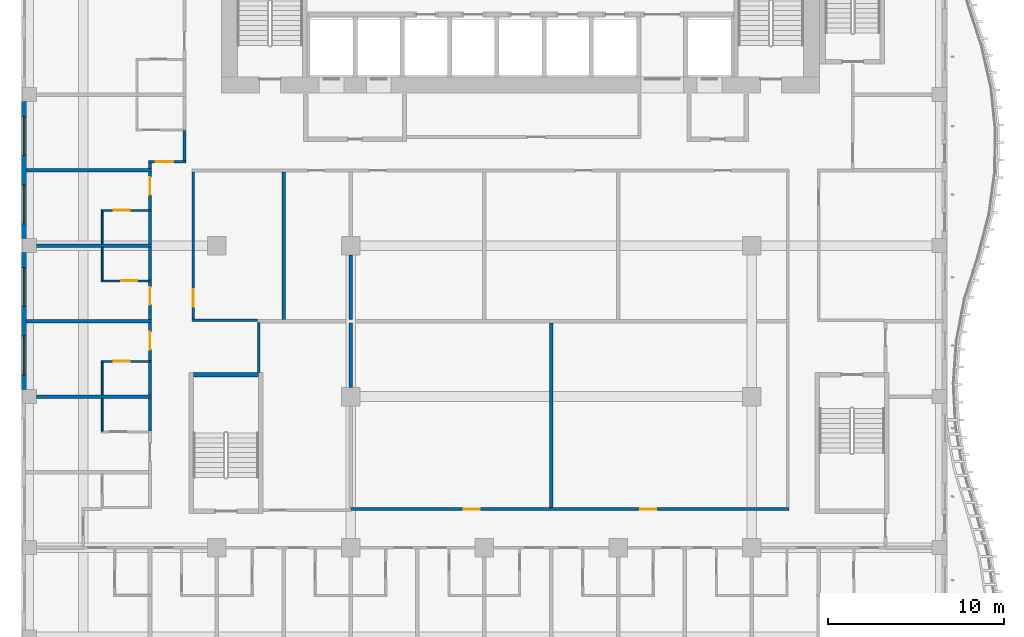
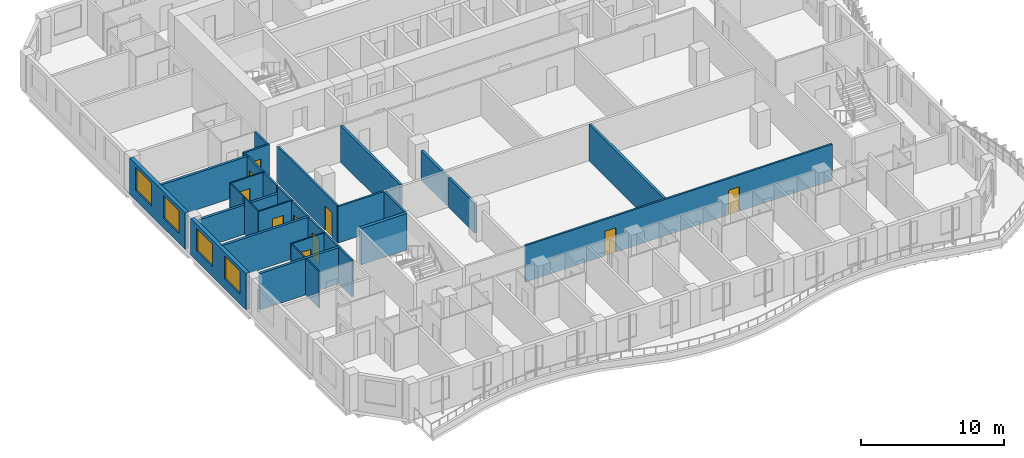
# One storey, part 4 of 24: 32 walls, 10 doors, 4 windows, 14 openings.
"""IFC4 building model written with IfcOpenShell, lengths in metres."""

import ifcopenshell
import ifcopenshell.guid

model = None  # the IFC model being written
_history = None  # IfcOwnerHistory: only IFC2X3 demands one
_inside = {}  # id of a spatial element -> (the spatial element, [elements in it])
_under = {}  # id of a project, library or spatial element -> (it, [spatial elements below it])
_declared = {}  # id of a project -> (the project, [libraries it declares])
_typed = {}  # id of a type object -> (the type object, [elements of that type])
_made_of = {}  # id of a material, layer set ... -> (it, [elements and type objects made of it])


def new_model(schema):
    """Start an empty IFC model of exactly this schema.

    Asked for "IFC4X3", IfcOpenShell would pick the latest addendum, in which some entities
    have other attributes; the version numbers below select the first issue.
    IFC2X3 requires an IfcOwnerHistory on every rooted entity: one is made here for all.
    """
    global model, _history
    if schema == "IFC4X3":
        model = ifcopenshell.file(schema_version=(4, 3, 0, 0))
    else:
        model = ifcopenshell.file(schema=schema)
    _inside.clear()
    _under.clear()
    _declared.clear()
    _typed.clear()
    _made_of.clear()
    _history = None
    if model.schema == "IFC2X3":
        org = make("IfcOrganization", Name="unknown")
        user = make(
            "IfcPersonAndOrganization",
            ThePerson=make("IfcPerson", FamilyName="unknown"),
            TheOrganization=org,
        )
        app = make(
            "IfcApplication",
            ApplicationDeveloper=org,
            Version="unknown",
            ApplicationFullName="unknown",
            ApplicationIdentifier="unknown",
        )
        _history = make(
            "IfcOwnerHistory",
            OwningUser=user,
            OwningApplication=app,
            ChangeAction="ADDED",
            CreationDate=0,
        )
    return model


def make(cls, **values):
    """One entity of the class cls with the attributes given. An attribute that is None is left unset."""
    return model.create_entity(
        cls, **{name: value for name, value in values.items() if value is not None}
    )


def rooted(cls, **values):
    """An entity with a GlobalId (a new one), such as an element, a storey or a relation."""
    return make(cls, GlobalId=ifcopenshell.guid.new(), OwnerHistory=_history, **values)


def si_unit(unit_type, name, prefix=None):
    """IfcSIUnit, for example si_unit("LENGTHUNIT", "METRE", prefix="MILLI")."""
    return make("IfcSIUnit", UnitType=unit_type, Prefix=prefix, Name=name)


def assignment(units):
    """IfcUnitAssignment: the units of a project."""
    return None if units is None else make("IfcUnitAssignment", Units=units)


def point(xyz):
    """IfcCartesianPoint."""
    return None if xyz is None else make("IfcCartesianPoint", Coordinates=xyz)


def direction(xyz):
    """IfcDirection."""
    return None if xyz is None else make("IfcDirection", DirectionRatios=xyz)


def frame(location, z_axis=None, x_axis=None):
    """IfcAxis2Placement3D, a coordinate frame: its origin and axes. An axis left out is left unset."""
    return make(
        "IfcAxis2Placement3D",
        Location=point(location),
        Axis=direction(z_axis),
        RefDirection=direction(x_axis),
    )


def frame_2d(location, x_axis=None):
    """IfcAxis2Placement2D, a coordinate frame in the plane: its origin and x axis."""
    return make(
        "IfcAxis2Placement2D", Location=point(location), RefDirection=direction(x_axis)
    )


def origin():
    """The frame at (0, 0, 0) with its axes left unset."""
    return frame((0.0, 0.0, 0.0))


def place(relative_to, where):
    """IfcLocalPlacement: puts the frame where relative to a parent placement (None: the world)."""
    return make(
        "IfcLocalPlacement", PlacementRelTo=relative_to, RelativePlacement=where
    )


def context(
    kind, dimensions, precision=None, world=None, true_north=None, identifier=None
):
    """IfcGeometricRepresentationContext, for example the 3D "Model" context."""
    return make(
        "IfcGeometricRepresentationContext",
        ContextIdentifier=identifier,
        ContextType=kind,
        CoordinateSpaceDimension=dimensions,
        Precision=precision,
        WorldCoordinateSystem=world,
        TrueNorth=true_north,
    )


def subcontext(parent, identifier, kind, view, scale=None):
    """IfcGeometricRepresentationSubContext, for example "Body" below "Model"."""
    return make(
        "IfcGeometricRepresentationSubContext",
        ContextIdentifier=identifier,
        ContextType=kind,
        ParentContext=parent,
        TargetScale=scale,
        TargetView=view,
    )


def project(units=None, contexts=None):
    """IfcProject with its units and contexts."""
    return rooted(
        "IfcProject",
        Name="project",
        RepresentationContexts=contexts,
        UnitsInContext=assignment(units),
    )


def spatial(cls, under=None, at=None, **own):
    """A site, building, storey or space (cls), placed at a placement, below another one or the project."""
    s = rooted(cls, ObjectPlacement=at, **own)
    if under is not None:
        _under.setdefault(under.id(), (under, []))[1].append(s)
    return s


def profile(cls, at=None, kind="AREA", **sizes):
    """A parametric profile (cls). Its sizes go by their IFC names, for example OverallWidth=200.0."""
    return make(cls, ProfileType=kind, Position=at, **sizes)


def rectangle(**sizes):
    """IfcRectangleProfileDef."""
    return profile("IfcRectangleProfileDef", **sizes)


def extrude(swept, where, along, depth):
    """IfcExtrudedAreaSolid: the profile swept, set in the frame where, extruded along a direction by depth."""
    return make(
        "IfcExtrudedAreaSolid",
        SweptArea=swept,
        Position=where,
        ExtrudedDirection=direction(along),
        Depth=depth,
    )


def shape(context_of_items, identifier, shape_type, items):
    """IfcShapeRepresentation: the items that make up one representation, for example the "Body"."""
    return make(
        "IfcShapeRepresentation",
        ContextOfItems=context_of_items,
        RepresentationIdentifier=identifier,
        RepresentationType=shape_type,
        Items=items,
    )


def source(mapping_origin, context_of_items, identifier, shape_type, items):
    """IfcRepresentationMap: a shape defined once, which mapped items show again and again."""
    return make(
        "IfcRepresentationMap",
        MappingOrigin=mapping_origin,
        MappedRepresentation=shape(context_of_items, identifier, shape_type, items),
    )


def transform(
    local_origin,
    x_axis=None,
    y_axis=None,
    z_axis=None,
    scale=None,
    scale2=None,
    scale3=None,
    uniform=True,
):
    """IfcCartesianTransformationOperator3D, or its non-uniform kind. x_axis, y_axis, z_axis: its Axis1, 2, 3."""
    if uniform:
        return make(
            "IfcCartesianTransformationOperator3D",
            Axis1=direction(x_axis),
            Axis2=direction(y_axis),
            LocalOrigin=point(local_origin),
            Scale=scale,
            Axis3=direction(z_axis),
        )
    return make(
        "IfcCartesianTransformationOperator3DnonUniform",
        Axis1=direction(x_axis),
        Axis2=direction(y_axis),
        LocalOrigin=point(local_origin),
        Scale=scale,
        Axis3=direction(z_axis),
        Scale2=scale2,
        Scale3=scale3,
    )


def mapped(mapping_source, mapping_target):
    """IfcMappedItem: shows the shape of a source again, moved by a transform."""
    return make(
        "IfcMappedItem", MappingSource=mapping_source, MappingTarget=mapping_target
    )


def material(Name=None, Category=None):
    """IfcMaterial."""
    return make("IfcMaterial", Name=Name, Category=Category)


def layer(
    of_material, thickness, ventilated=None, Name=None, Category=None, Priority=None
):
    """IfcMaterialLayer: one layer of a wall or slab, of a material (None: an air gap)."""
    return make(
        "IfcMaterialLayer",
        Material=of_material,
        LayerThickness=thickness,
        IsVentilated=ventilated,
        Name=Name,
        Category=Category,
        Priority=Priority,
    )


def layer_set(layers, Name=None):
    """IfcMaterialLayerSet."""
    return make("IfcMaterialLayerSet", MaterialLayers=layers, LayerSetName=Name)


def made_of(thing, what):
    """Note that an element or type object is made of a material, layer set ...; save() writes the relation."""
    if what is not None:
        _made_of.setdefault(what.id(), (what, []))[1].append(thing)
    return thing


def type_object(cls, material=None, **own):
    """A type object (cls), such as IfcWallType, which elements share."""
    return made_of(rooted(cls, **own), material)


def element(
    cls,
    number,
    at=None,
    inside=None,
    cuts=None,
    type_object=None,
    material=None,
    context=None,
    identifier="Body",
    shape_type=None,
    held_by="IfcProductDefinitionShape",
    body=None,
    shapes=None,
    **own,
):
    """One element of the class cls, such as IfcWall. Its Tag is "e" and its number.

    at: its placement. inside: the storey or other place that contains it. cuts: it is an
    opening in that element (IfcRelVoidsElement). A single representation is given by context,
    identifier, shape_type and body (its items); several are given by shapes. held_by: the class
    of the entity that holds the representations. save() writes the other relations.
    """
    e = rooted(cls, Tag="e%d" % number, ObjectPlacement=at, **own)
    if body is not None:
        shapes = [shape(context, identifier, shape_type, body)]
    if shapes is not None:
        e.Representation = make(held_by, Representations=shapes)
    if inside is not None:
        _inside.setdefault(inside.id(), (inside, []))[1].append(e)
    if cuts is not None:
        rooted(
            "IfcRelVoidsElement", RelatingBuildingElement=cuts, RelatedOpeningElement=e
        )
    if type_object is not None:
        _typed.setdefault(type_object.id(), (type_object, []))[1].append(e)
    return made_of(e, material)


def fill(opening, filler):
    """IfcRelFillsElement: the door or window that sits in an opening."""
    return rooted(
        "IfcRelFillsElement",
        RelatingOpeningElement=opening,
        RelatedBuildingElement=filler,
    )


def aggregate(whole, parts):
    """IfcRelAggregates: a whole, such as a stair, and the parts it consists of."""
    return rooted("IfcRelAggregates", RelatingObject=whole, RelatedObjects=parts)


def save(model, path):
    """Write the relations noted so far, then the file.

    IfcRelAggregates (storeys below a building ...), IfcRelContainedInSpatialStructure (elements
    in a storey), IfcRelDefinesByType, IfcRelAssociatesMaterial and IfcRelDeclares: one each for
    every whole, place, type object, material and project.
    """
    for whole, parts in _under.values():
        aggregate(whole, parts)
    for where, things in _inside.values():
        rooted(
            "IfcRelContainedInSpatialStructure",
            RelatedElements=things,
            RelatingStructure=where,
        )
    for kind, things in _typed.values():
        rooted("IfcRelDefinesByType", RelatedObjects=things, RelatingType=kind)
    for what, things in _made_of.values():
        rooted("IfcRelAssociatesMaterial", RelatedObjects=things, RelatingMaterial=what)
    for by, libraries in _declared.values():
        rooted("IfcRelDeclares", RelatingContext=by, RelatedDefinitions=libraries)
    model.write(path)


model = new_model("IFC4")

# Units and contexts
model_context = context("Model", 3, precision=1e-05, world=origin(), true_north=direction((0.0, 1.0)))
body_context = subcontext(model_context, "Body", "Model", "MODEL_VIEW")
ifc_project = project(units=[si_unit("LENGTHUNIT", "METRE"), si_unit("AREAUNIT", "SQUARE_METRE"), si_unit("VOLUMEUNIT", "CUBIC_METRE"), si_unit("PLANEANGLEUNIT", "RADIAN"), si_unit("MASSUNIT", "GRAM", prefix="KILO")], contexts=[model_context])

# Site, building, storey
site_placement = place(None, origin())
site = spatial("IfcSite", under=ifc_project, at=site_placement, CompositionType="ELEMENT")
building_placement = place(site_placement, origin())
building = spatial("IfcBuilding", under=site, at=building_placement, Name="Kilnfold Tower and Market Hall", CompositionType="ELEMENT")
storey_placement = place(building_placement, frame((0.0, 0.0, 175.300048828125)))
storey = spatial("IfcBuildingStorey", under=building, at=storey_placement, Name="L41", CompositionType="ELEMENT", Elevation=175.300048828125)

# Wall
ifc_material_1 = material(Name="Gypsum board on steel studs", Category="steel")
ifc_layer_1 = layer(ifc_material_1, 0.14990234375)
ifc_layer_set_1 = layer_set([ifc_layer_1], Name="Gypsum board on steel studs")
wall_type_1 = type_object("IfcWallType", Name="WALL CORRIDOR 150", PredefinedType="PARTITIONING", material=ifc_layer_set_1)
wall_1_placement = place(storey_placement, frame((-19.958984375, -11.0849609375, 0.0), z_axis=(0.0, 0.0, 1.0), x_axis=(0.0, 1.0, 0.0)))
element("IfcWall", 1, at=wall_1_placement, inside=storey, type_object=wall_type_1, Name="Partition LY26.11", PredefinedType="PARTITIONING", context=body_context, shape_type="SweptSolid", body=[
    extrude(rectangle(XDim=1.869873046875, YDim=0.14990234375, at=frame_2d((0.93505859375, 0.0))), origin(), (0.0, 0.0, 1.0), 3.119873046875),
])

# Wall, opening, door
wall_2_placement = place(storey_placement, frame((-19.958984375, -7.0849609375, 0.0), z_axis=(0.0, 0.0, 1.0), x_axis=(0.0, 1.0, 0.0)))
wall_2 = element("IfcWall", 2, at=wall_2_placement, inside=storey, type_object=wall_type_1, Name="Partition LY26.12", PredefinedType="PARTITIONING", context=body_context, shape_type="SweptSolid", body=[
    extrude(rectangle(XDim=2.15185546875, YDim=0.14990234375, at=frame_2d((1.075927734375, 0.0))), origin(), (0.0, 0.0, 1.0), 3.119873046875),
])
opening_1_placement = place(wall_2_placement, frame((0.6298828125, 0.0, 0.0)))
opening_1 = element("IfcOpeningElement", 3, at=opening_1_placement, cuts=wall_2, Name="Opening D1", PredefinedType="OPENING", context=body_context, shape_type="SweptSolid", body=[
    extrude(rectangle(XDim=1.0, YDim=2.10009765625, at=frame_2d((0.5, 1.050048828125))), frame((0.0, 0.0849609375, 0.0), z_axis=(0.0, -1.0, 0.0), x_axis=(1.0, 0.0, 0.0)), (0.0, 0.0, 1.0), 0.169921875),
])
ifc_material_2 = material(Name="Timber veneer door leaf in steel frame", Category="steel")
door_type_1 = type_object("IfcDoorType", Name="DOOR ENTRY 1000 X2100", OperationType="NOTDEFINED", PredefinedType="DOOR", material=ifc_material_2)
door_1_placement = place(opening_1_placement, origin())
door_1 = element("IfcDoor", 4, at=door_1_placement, inside=storey, type_object=door_type_1, Name="Door D1", OperationType="SINGLE_SWING_RIGHT", OverallHeight=2.10009765625, OverallWidth=1.0, PredefinedType="DOOR", context=body_context, shape_type="SweptSolid", body=[
    extrude(rectangle(XDim=1.0, YDim=2.10009765625, at=frame_2d((0.5, 1.050048828125))), frame((0.0, 0.02490234375, 0.0), z_axis=(0.0, -1.0, 0.0), x_axis=(1.0, 0.0, 0.0)), (0.0, 0.0, 1.0), 0.050048828125),
])
fill(opening_1, door_1)

# Wall
wall_3_placement = place(storey_placement, frame((-19.958984375, -9.034912109375, 0.0), z_axis=(0.0, 0.0, 1.0), x_axis=(0.0, 1.0, 0.0)))
element("IfcWall", 5, at=wall_3_placement, inside=storey, type_object=wall_type_1, Name="Partition LY26.13", PredefinedType="PARTITIONING", context=body_context, shape_type="SweptSolid", body=[
    extrude(rectangle(XDim=1.869873046875, YDim=0.14990234375, at=frame_2d((0.93505859375, 0.0))), origin(), (0.0, 0.0, 1.0), 3.119873046875),
])

# Wall, opening, door
wall_4_placement = place(storey_placement, frame((-19.958984375, -4.7529296875, 0.0), z_axis=(0.0, 0.0, 1.0), x_axis=(0.0, 1.0, 0.0)))
wall_4 = element("IfcWall", 6, at=wall_4_placement, inside=storey, type_object=wall_type_1, Name="Partition LY26.14", PredefinedType="PARTITIONING", context=body_context, shape_type="SweptSolid", body=[
    extrude(rectangle(XDim=2.15087890625, YDim=0.14990234375, at=frame_2d((1.075439453125, 0.0))), origin(), (0.0, 0.0, 1.0), 3.119873046875),
])
opening_2_placement = place(wall_4_placement, frame((0.843994140625, 0.0, 0.0)))
opening_2 = element("IfcOpeningElement", 7, at=opening_2_placement, cuts=wall_4, Name="Opening D1", PredefinedType="OPENING", context=body_context, shape_type="SweptSolid", body=[
    extrude(rectangle(XDim=1.0, YDim=2.10009765625, at=frame_2d((0.5, 1.050048828125))), frame((0.0, 0.0849609375, 0.0), z_axis=(0.0, -1.0, 0.0), x_axis=(1.0, 0.0, 0.0)), (0.0, 0.0, 1.0), 0.169921875),
])
door_2_placement = place(opening_2_placement, origin())
door_2 = element("IfcDoor", 8, at=door_2_placement, inside=storey, type_object=door_type_1, Name="Door D1", OperationType="SINGLE_SWING_RIGHT", OverallHeight=2.10009765625, OverallWidth=1.0, PredefinedType="DOOR", context=body_context, shape_type="SweptSolid", body=[
    extrude(rectangle(XDim=1.0, YDim=2.10009765625, at=frame_2d((0.5, 1.050048828125))), frame((0.0, 0.02490234375, 0.0), z_axis=(0.0, -1.0, 0.0), x_axis=(1.0, 0.0, 0.0)), (0.0, 0.0, 1.0), 0.050048828125),
])
fill(opening_2, door_2)

# Wall
wall_5_placement = place(storey_placement, frame((-19.958984375, -2.52197265625, 0.0), z_axis=(0.0, 0.0, 1.0), x_axis=(0.0, 1.0, 0.0)))
element("IfcWall", 9, at=wall_5_placement, inside=storey, type_object=wall_type_1, Name="Partition LY26.15", PredefinedType="PARTITIONING", context=body_context, shape_type="SweptSolid", body=[
    extrude(rectangle(XDim=1.869873046875, YDim=0.14990234375, at=frame_2d((0.93505859375, 0.0))), origin(), (0.0, 0.0, 1.0), 3.119873046875),
])

# Wall, opening, door
wall_6_placement = place(storey_placement, frame((-19.958984375, 1.47802734375, 0.0), z_axis=(0.0, 0.0, 1.0), x_axis=(0.0, 1.0, 0.0)))
wall_6 = element("IfcWall", 10, at=wall_6_placement, inside=storey, type_object=wall_type_1, Name="Partition LY26.16", PredefinedType="PARTITIONING", context=body_context, shape_type="SweptSolid", body=[
    extrude(rectangle(XDim=2.15087890625, YDim=0.14990234375, at=frame_2d((1.075439453125, 0.0))), origin(), (0.0, 0.0, 1.0), 3.119873046875),
])
opening_3_placement = place(wall_6_placement, frame((0.843994140625, 0.0, 0.0)))
opening_3 = element("IfcOpeningElement", 11, at=opening_3_placement, cuts=wall_6, Name="Opening D1", PredefinedType="OPENING", context=body_context, shape_type="SweptSolid", body=[
    extrude(rectangle(XDim=1.0, YDim=2.10009765625, at=frame_2d((0.5, 1.050048828125))), frame((0.0, 0.0849609375, 0.0), z_axis=(0.0, -1.0, 0.0), x_axis=(1.0, 0.0, 0.0)), (0.0, 0.0, 1.0), 0.169921875),
])
door_3_placement = place(opening_3_placement, origin())
door_3 = element("IfcDoor", 12, at=door_3_placement, inside=storey, type_object=door_type_1, Name="Door D1", OperationType="SINGLE_SWING_RIGHT", OverallHeight=2.10009765625, OverallWidth=1.0, PredefinedType="DOOR", context=body_context, shape_type="SweptSolid", body=[
    extrude(rectangle(XDim=1.0, YDim=2.10009765625, at=frame_2d((0.5, 1.050048828125))), frame((0.0, 0.02490234375, 0.0), z_axis=(0.0, -1.0, 0.0), x_axis=(1.0, 0.0, 0.0)), (0.0, 0.0, 1.0), 0.050048828125),
])
fill(opening_3, door_3)

# Walls
wall_7_placement = place(storey_placement, frame((-19.958984375, -0.471923828125, 0.0), z_axis=(0.0, 0.0, 1.0), x_axis=(0.0, 1.0, 0.0)))
element("IfcWall", 13, at=wall_7_placement, inside=storey, type_object=wall_type_1, Name="Partition LY26.17", PredefinedType="PARTITIONING", context=body_context, shape_type="SweptSolid", body=[
    extrude(rectangle(XDim=1.869873046875, YDim=0.14990234375, at=frame_2d((0.93505859375, 0.0))), origin(), (0.0, 0.0, 1.0), 3.119873046875),
])
wall_8_placement = place(storey_placement, frame((-19.958984375, 3.80908203125, 0.0), z_axis=(0.0, 0.0, 1.0), x_axis=(0.0, 1.0, 0.0)))
element("IfcWall", 14, at=wall_8_placement, inside=storey, type_object=wall_type_1, Name="Partition LY26.18", PredefinedType="PARTITIONING", context=body_context, shape_type="SweptSolid", body=[
    extrude(rectangle(XDim=0.31591796875, YDim=0.14990234375, at=frame_2d((0.157958984375, 0.0))), origin(), (0.0, 0.0, 1.0), 3.119873046875),
])

# Wall, opening, door
wall_9_placement = place(storey_placement, frame((-17.925048828125, 4.199951171875, 0.0), z_axis=(0.0, 0.0, 1.0), x_axis=(-1.0, 0.0, 0.0)))
wall_9 = element("IfcWall", 15, at=wall_9_placement, inside=storey, type_object=wall_type_1, Name="Partition LY26.19", PredefinedType="PARTITIONING", context=body_context, shape_type="SweptSolid", body=[
    extrude(rectangle(XDim=2.10888671875, YDim=0.14990234375, at=frame_2d((1.054443359375, 0.0))), origin(), (0.0, 0.0, 1.0), 3.119873046875),
])
opening_4_placement = place(wall_9_placement, frame((0.7060546875, 0.0, 0.0)))
opening_4 = element("IfcOpeningElement", 16, at=opening_4_placement, cuts=wall_9, Name="Opening D1", PredefinedType="OPENING", context=body_context, shape_type="SweptSolid", body=[
    extrude(rectangle(XDim=1.0, YDim=2.10009765625, at=frame_2d((0.5, 1.050048828125))), frame((0.0, 0.0849609375, 0.0), z_axis=(0.0, -1.0, 0.0), x_axis=(1.0, 0.0, 0.0)), (0.0, 0.0, 1.0), 0.169921875),
])
door_4_placement = place(opening_4_placement, origin())
door_4 = element("IfcDoor", 17, at=door_4_placement, inside=storey, type_object=door_type_1, Name="Door D1", OperationType="SINGLE_SWING_RIGHT", OverallHeight=2.10009765625, OverallWidth=1.0, PredefinedType="DOOR", context=body_context, shape_type="SweptSolid", body=[
    extrude(rectangle(XDim=1.0, YDim=2.10009765625, at=frame_2d((0.5, 1.050048828125))), frame((0.0, 0.02490234375, 0.0), z_axis=(0.0, -1.0, 0.0), x_axis=(1.0, 0.0, 0.0)), (0.0, 0.0, 1.0), 0.050048828125),
])
fill(opening_4, door_4)

# Wall
wall_10_placement = place(storey_placement, frame((-18.0, 4.27490234375, 0.0), z_axis=(0.0, 0.0, 1.0), x_axis=(0.0, 1.0, 0.0)))
element("IfcWall", 18, at=wall_10_placement, inside=storey, type_object=wall_type_1, Name="Partition LY26.20", PredefinedType="PARTITIONING", context=body_context, shape_type="SweptSolid", body=[
    extrude(rectangle(XDim=1.68505859375, YDim=0.14990234375, at=frame_2d((0.842529296875, 0.0))), origin(), (0.0, 0.0, 1.0), 3.119873046875),
])

# Wall, opening, door
wall_11_placement = place(storey_placement, frame((-17.5, -4.72509765625, 0.0), z_axis=(0.0, 0.0, 1.0), x_axis=(0.0, 1.0, 0.0)))
wall_11 = element("IfcWall", 19, at=wall_11_placement, inside=storey, type_object=wall_type_1, Name="Partition LY26.43", PredefinedType="PARTITIONING", context=body_context, shape_type="SweptSolid", body=[
    extrude(rectangle(XDim=8.35009765625, YDim=0.14990234375, at=frame_2d((4.175048828125, 0.0))), origin(), (0.0, 0.0, 1.0), 3.119873046875),
])
opening_5_placement = place(wall_11_placement, frame((0.7041015625, 0.0, 0.0)))
opening_5 = element("IfcOpeningElement", 20, at=opening_5_placement, cuts=wall_11, Name="Opening D4", PredefinedType="OPENING", context=body_context, shape_type="SweptSolid", body=[
    extrude(rectangle(XDim=1.0, YDim=2.10009765625, at=frame_2d((0.5, 1.050048828125))), frame((0.0, 0.0849609375, 0.0), z_axis=(0.0, -1.0, 0.0), x_axis=(1.0, 0.0, 0.0)), (0.0, 0.0, 1.0), 0.169921875),
])
ifc_material_3 = material(Name="Timber veneer door leaf in steel frame", Category="steel")
door_type_2 = type_object("IfcDoorType", Name="DOOR SERVICE 1000 X2100", OperationType="NOTDEFINED", PredefinedType="DOOR", material=ifc_material_3)
door_5_placement = place(opening_5_placement, origin())
door_5 = element("IfcDoor", 21, at=door_5_placement, inside=storey, type_object=door_type_2, Name="Door D4", OperationType="SINGLE_SWING_RIGHT", OverallHeight=2.10009765625, OverallWidth=1.0, PredefinedType="DOOR", context=body_context, shape_type="SweptSolid", body=[
    extrude(rectangle(XDim=1.0, YDim=2.10009765625, at=frame_2d((0.5, 1.050048828125))), frame((0.0, 0.02490234375, 0.0), z_axis=(0.0, -1.0, 0.0), x_axis=(1.0, 0.0, 0.0)), (0.0, 0.0, 1.0), 0.050048828125),
])
fill(opening_5, door_5)

# Walls
wall_12_placement = place(storey_placement, frame((-17.574951171875, -4.800048828125, 0.0), z_axis=(0.0, 0.0, 1.0), x_axis=(1.0, 0.0, 0.0)))
element("IfcWall", 22, at=wall_12_placement, inside=storey, type_object=wall_type_1, Name="Partition LY26.44", PredefinedType="PARTITIONING", context=body_context, shape_type="SweptSolid", body=[
    extrude(rectangle(XDim=3.701904296875, YDim=0.14990234375, at=frame_2d((1.85107421875, 0.0))), origin(), (0.0, 0.0, 1.0), 3.119873046875),
])
wall_13_placement = place(storey_placement, frame((-13.800048828125, -7.75, 0.0), z_axis=(0.0, 0.0, 1.0), x_axis=(0.0, 1.0, 0.0)))
element("IfcWall", 23, at=wall_13_placement, inside=storey, type_object=wall_type_1, Name="Partition LY26.46", PredefinedType="PARTITIONING", context=body_context, shape_type="SweptSolid", body=[
    extrude(rectangle(XDim=2.81689453125, YDim=0.14990234375, at=frame_2d((1.408447265625, 0.0))), origin(), (0.0, 0.0, 1.0), 3.119873046875),
])

# Wall, openings, doors
wall_14_placement = place(storey_placement, frame((-8.593017578125, -15.5, 0.0), z_axis=(0.0, 0.0, 1.0), x_axis=(1.0, 0.0, 0.0)))
wall_14 = element("IfcWall", 24, at=wall_14_placement, inside=storey, type_object=wall_type_1, Name="Partition LY26.48", PredefinedType="PARTITIONING", context=body_context, shape_type="SweptSolid", body=[
    extrude(rectangle(XDim=24.867919921875, YDim=0.14990234375, at=frame_2d((12.43408203125, 0.0))), origin(), (0.0, 0.0, 1.0), 3.119873046875),
])
opening_6_placement = place(wall_14_placement, frame((6.43994140625, 0.0, 0.0)))
opening_6 = element("IfcOpeningElement", 25, at=opening_6_placement, cuts=wall_14, Name="Opening D2", PredefinedType="OPENING", context=body_context, shape_type="SweptSolid", body=[
    extrude(rectangle(XDim=0.89990234375, YDim=2.10009765625, at=frame_2d((0.449951171875, 1.050048828125))), frame((0.0, 0.0849609375, 0.0), z_axis=(0.0, -1.0, 0.0), x_axis=(1.0, 0.0, 0.0)), (0.0, 0.0, 1.0), 0.169921875),
])
opening_7_placement = place(wall_14_placement, frame((16.429931640625, 0.0, 0.0)))
opening_7 = element("IfcOpeningElement", 26, at=opening_7_placement, cuts=wall_14, Name="Opening D2", PredefinedType="OPENING", context=body_context, shape_type="SweptSolid", body=[
    extrude(rectangle(XDim=0.89990234375, YDim=2.10009765625, at=frame_2d((0.449951171875, 1.050048828125))), frame((0.0, 0.0849609375, 0.0), z_axis=(0.0, -1.0, 0.0), x_axis=(1.0, 0.0, 0.0)), (0.0, 0.0, 1.0), 0.169921875),
])
ifc_material_4 = material(Name="Timber veneer door leaf in steel frame", Category="steel")
door_type_3 = type_object("IfcDoorType", Name="DOOR ROOM 900 X2100", OperationType="NOTDEFINED", PredefinedType="DOOR", material=ifc_material_4)
door_6_placement = place(opening_6_placement, origin())
door_6 = element("IfcDoor", 27, at=door_6_placement, inside=storey, type_object=door_type_3, Name="Door D2", OperationType="SINGLE_SWING_RIGHT", OverallHeight=2.10009765625, OverallWidth=0.89990234375, PredefinedType="DOOR", context=body_context, shape_type="SweptSolid", body=[
    extrude(rectangle(XDim=0.89990234375, YDim=2.10009765625, at=frame_2d((0.449951171875, 1.050048828125))), frame((0.0, 0.02490234375, 0.0), z_axis=(0.0, -1.0, 0.0), x_axis=(1.0, 0.0, 0.0)), (0.0, 0.0, 1.0), 0.050048828125),
])
fill(opening_6, door_6)
door_7_placement = place(opening_7_placement, origin())
door_7 = element("IfcDoor", 28, at=door_7_placement, inside=storey, type_object=door_type_3, Name="Door D2", OperationType="SINGLE_SWING_RIGHT", OverallHeight=2.10009765625, OverallWidth=0.89990234375, PredefinedType="DOOR", context=body_context, shape_type="SweptSolid", body=[
    extrude(rectangle(XDim=0.89990234375, YDim=2.10009765625, at=frame_2d((0.449951171875, 1.050048828125))), frame((0.0, 0.02490234375, 0.0), z_axis=(0.0, -1.0, 0.0), x_axis=(1.0, 0.0, 0.0)), (0.0, 0.0, 1.0), 0.050048828125),
])
fill(opening_7, door_7)

# Wall
ifc_material_5 = material(Name="Gypsum board on steel studs", Category="steel")
ifc_layer_2 = layer(ifc_material_5, 0.10009765625)
ifc_layer_set_2 = layer_set([ifc_layer_2], Name="Gypsum board on steel studs")
wall_type_2 = type_object("IfcWallType", Name="WALL PARTITION 100", PredefinedType="PARTITIONING", material=ifc_layer_set_2)
wall_15_placement = place(storey_placement, frame((-22.660888671875, -11.074951171875, 0.0), z_axis=(0.0, 0.0, 1.0), x_axis=(0.0, 1.0, 0.0)))
element("IfcWall", 29, at=wall_15_placement, inside=storey, type_object=wall_type_2, Name="Partition LY26.93", PredefinedType="PARTITIONING", context=body_context, shape_type="SweptSolid", body=[
    extrude(rectangle(XDim=1.849853515625, YDim=0.10009765625, at=frame_2d((0.9248046875, 0.0))), origin(), (0.0, 0.0, 1.0), 3.119873046875),
])

# Wall, opening, door
wall_16_placement = place(storey_placement, frame((-22.7109375, -7.125, 0.0), z_axis=(0.0, 0.0, 1.0), x_axis=(1.0, 0.0, 0.0)))
wall_16 = element("IfcWall", 30, at=wall_16_placement, inside=storey, type_object=wall_type_2, Name="Partition LY26.95", PredefinedType="PARTITIONING", context=body_context, shape_type="SweptSolid", body=[
    extrude(rectangle(XDim=2.824951171875, YDim=0.10009765625, at=frame_2d((1.41259765625, 0.0))), origin(), (0.0, 0.0, 1.0), 3.119873046875),
])
opening_8_placement = place(wall_16_placement, frame((0.7080078125, 0.0, 0.0)))
opening_8 = element("IfcOpeningElement", 31, at=opening_8_placement, cuts=wall_16, Name="Opening D3", PredefinedType="OPENING", context=body_context, shape_type="SweptSolid", body=[
    extrude(rectangle(XDim=0.89990234375, YDim=2.10009765625, at=frame_2d((0.449951171875, 1.050048828125))), frame((0.0, 0.06005859375, 0.0), z_axis=(0.0, -1.0, 0.0), x_axis=(1.0, 0.0, 0.0)), (0.0, 0.0, 1.0), 0.1201171875),
])
ifc_material_6 = material(Name="Timber veneer door leaf in steel frame", Category="steel")
door_type_4 = type_object("IfcDoorType", Name="DOOR WC 900 X2100", OperationType="NOTDEFINED", PredefinedType="DOOR", material=ifc_material_6)
door_8_placement = place(opening_8_placement, origin())
door_8 = element("IfcDoor", 32, at=door_8_placement, inside=storey, type_object=door_type_4, Name="Door D3", OperationType="SINGLE_SWING_RIGHT", OverallHeight=2.10009765625, OverallWidth=0.89990234375, PredefinedType="DOOR", context=body_context, shape_type="SweptSolid", body=[
    extrude(rectangle(XDim=0.89990234375, YDim=2.10009765625, at=frame_2d((0.449951171875, 1.050048828125))), frame((0.0, 0.02490234375, 0.0), z_axis=(0.0, -1.0, 0.0), x_axis=(1.0, 0.0, 0.0)), (0.0, 0.0, 1.0), 0.050048828125),
])
fill(opening_8, door_8)

# Wall
wall_17_placement = place(storey_placement, frame((-22.660888671875, -9.02490234375, 0.0), z_axis=(0.0, 0.0, 1.0), x_axis=(0.0, 1.0, 0.0)))
element("IfcWall", 33, at=wall_17_placement, inside=storey, type_object=wall_type_2, Name="Partition LY26.96", PredefinedType="PARTITIONING", context=body_context, shape_type="SweptSolid", body=[
    extrude(rectangle(XDim=1.849853515625, YDim=0.10009765625, at=frame_2d((0.9248046875, 0.0))), origin(), (0.0, 0.0, 1.0), 3.119873046875),
])

# Wall, opening, door
wall_18_placement = place(storey_placement, frame((-19.885986328125, -2.56201171875, 0.0), z_axis=(0.0, 0.0, 1.0), x_axis=(-1.0, 0.0, 0.0)))
wall_18 = element("IfcWall", 34, at=wall_18_placement, inside=storey, type_object=wall_type_2, Name="Partition LY26.98", PredefinedType="PARTITIONING", context=body_context, shape_type="SweptSolid", body=[
    extrude(rectangle(XDim=2.824951171875, YDim=0.10009765625, at=frame_2d((1.41259765625, 0.0))), origin(), (0.0, 0.0, 1.0), 3.119873046875),
])
opening_9_placement = place(wall_18_placement, frame((0.81005859375, 0.0, 0.0)))
opening_9 = element("IfcOpeningElement", 35, at=opening_9_placement, cuts=wall_18, Name="Opening D3", PredefinedType="OPENING", context=body_context, shape_type="SweptSolid", body=[
    extrude(rectangle(XDim=0.89990234375, YDim=2.10009765625, at=frame_2d((0.449951171875, 1.050048828125))), frame((0.0, 0.06005859375, 0.0), z_axis=(0.0, -1.0, 0.0), x_axis=(1.0, 0.0, 0.0)), (0.0, 0.0, 1.0), 0.1201171875),
])
door_9_placement = place(opening_9_placement, origin())
door_9 = element("IfcDoor", 36, at=door_9_placement, inside=storey, type_object=door_type_4, Name="Door D3", OperationType="SINGLE_SWING_LEFT", OverallHeight=2.10009765625, OverallWidth=0.89990234375, PredefinedType="DOOR", context=body_context, shape_type="SweptSolid", body=[
    extrude(rectangle(XDim=0.89990234375, YDim=2.10009765625, at=frame_2d((0.449951171875, 1.050048828125))), frame((0.0, 0.02490234375, 0.0), z_axis=(0.0, -1.0, 0.0), x_axis=(1.0, 0.0, 0.0)), (0.0, 0.0, 1.0), 0.050048828125),
])
fill(opening_9, door_9)

# Wall
wall_19_placement = place(storey_placement, frame((-22.660888671875, -2.511962890625, 0.0), z_axis=(0.0, 0.0, 1.0), x_axis=(0.0, 1.0, 0.0)))
element("IfcWall", 37, at=wall_19_placement, inside=storey, type_object=wall_type_2, Name="Partition LY26.99", PredefinedType="PARTITIONING", context=body_context, shape_type="SweptSolid", body=[
    extrude(rectangle(XDim=1.849853515625, YDim=0.10009765625, at=frame_2d((0.9248046875, 0.0))), origin(), (0.0, 0.0, 1.0), 3.119873046875),
])

# Wall, opening, door
wall_20_placement = place(storey_placement, frame((-22.7109375, 1.43798828125, 0.0), z_axis=(0.0, 0.0, 1.0), x_axis=(1.0, 0.0, 0.0)))
wall_20 = element("IfcWall", 38, at=wall_20_placement, inside=storey, type_object=wall_type_2, Name="Partition LY26.101", PredefinedType="PARTITIONING", context=body_context, shape_type="SweptSolid", body=[
    extrude(rectangle(XDim=2.824951171875, YDim=0.10009765625, at=frame_2d((1.41259765625, 0.0))), origin(), (0.0, 0.0, 1.0), 3.119873046875),
])
opening_10_placement = place(wall_20_placement, frame((0.7080078125, 0.0, 0.0)))
opening_10 = element("IfcOpeningElement", 39, at=opening_10_placement, cuts=wall_20, Name="Opening D3", PredefinedType="OPENING", context=body_context, shape_type="SweptSolid", body=[
    extrude(rectangle(XDim=0.89990234375, YDim=2.10009765625, at=frame_2d((0.449951171875, 1.050048828125))), frame((0.0, 0.06005859375, 0.0), z_axis=(0.0, -1.0, 0.0), x_axis=(1.0, 0.0, 0.0)), (0.0, 0.0, 1.0), 0.1201171875),
])
door_10_placement = place(opening_10_placement, origin())
door_10 = element("IfcDoor", 40, at=door_10_placement, inside=storey, type_object=door_type_4, Name="Door D3", OperationType="SINGLE_SWING_RIGHT", OverallHeight=2.10009765625, OverallWidth=0.89990234375, PredefinedType="DOOR", context=body_context, shape_type="SweptSolid", body=[
    extrude(rectangle(XDim=0.89990234375, YDim=2.10009765625, at=frame_2d((0.449951171875, 1.050048828125))), frame((0.0, 0.02490234375, 0.0), z_axis=(0.0, -1.0, 0.0), x_axis=(1.0, 0.0, 0.0)), (0.0, 0.0, 1.0), 0.050048828125),
])
fill(opening_10, door_10)

# Walls
wall_21_placement = place(storey_placement, frame((-22.660888671875, -0.4619140625, 0.0), z_axis=(0.0, 0.0, 1.0), x_axis=(0.0, 1.0, 0.0)))
element("IfcWall", 41, at=wall_21_placement, inside=storey, type_object=wall_type_2, Name="Partition LY26.102", PredefinedType="PARTITIONING", context=body_context, shape_type="SweptSolid", body=[
    extrude(rectangle(XDim=1.849853515625, YDim=0.10009765625, at=frame_2d((0.9248046875, 0.0))), origin(), (0.0, 0.0, 1.0), 3.119873046875),
])
ifc_material_7 = material(Name="Gypsum board on steel studs", Category="steel")
ifc_layer_3 = layer(ifc_material_7, 0.199951171875)
ifc_layer_set_3 = layer_set([ifc_layer_3], Name="Gypsum board on steel studs")
wall_type_3 = type_object("IfcWallType", Name="WALL PARTY 200", PredefinedType="PARTITIONING", material=ifc_layer_set_3)
wall_22_placement = place(storey_placement, frame((-26.39990234375, -9.125, 0.0), z_axis=(0.0, 0.0, 1.0), x_axis=(1.0, 0.0, 0.0)))
element("IfcWall", 42, at=wall_22_placement, inside=storey, type_object=wall_type_3, Name="Partition LY26.94", PredefinedType="PARTITIONING", context=body_context, shape_type="SweptSolid", body=[
    extrude(rectangle(XDim=6.513916015625, YDim=0.199951171875, at=frame_2d((3.2568359375, 0.0))), origin(), (0.0, 0.0, 1.0), 3.119873046875),
])
wall_23_placement = place(storey_placement, frame((-27.0, -4.843017578125, 0.0), z_axis=(0.0, 0.0, 1.0), x_axis=(1.0, 0.0, 0.0)))
element("IfcWall", 43, at=wall_23_placement, inside=storey, type_object=wall_type_3, Name="Partition LY26.97", PredefinedType="PARTITIONING", context=body_context, shape_type="SweptSolid", body=[
    extrude(rectangle(XDim=7.114013671875, YDim=0.199951171875, at=frame_2d((3.55712890625, 0.0))), origin(), (0.0, 0.0, 1.0), 3.119873046875),
])
wall_24_placement = place(storey_placement, frame((-26.39990234375, -0.56201171875, 0.0), z_axis=(0.0, 0.0, 1.0), x_axis=(1.0, 0.0, 0.0)))
element("IfcWall", 44, at=wall_24_placement, inside=storey, type_object=wall_type_3, Name="Partition LY26.100", PredefinedType="PARTITIONING", context=body_context, shape_type="SweptSolid", body=[
    extrude(rectangle(XDim=6.513916015625, YDim=0.199951171875, at=frame_2d((3.2568359375, 0.0))), origin(), (0.0, 0.0, 1.0), 2.52001953125),
])
wall_25_placement = place(storey_placement, frame((-27.0, 3.718994140625, 0.0), z_axis=(0.0, 0.0, 1.0), x_axis=(1.0, 0.0, 0.0)))
element("IfcWall", 45, at=wall_25_placement, inside=storey, type_object=wall_type_3, Name="Partition LY26.103", PredefinedType="PARTITIONING", context=body_context, shape_type="SweptSolid", body=[
    extrude(rectangle(XDim=7.114013671875, YDim=0.199951171875, at=frame_2d((3.55712890625, 0.0))), origin(), (0.0, 0.0, 1.0), 3.119873046875),
])
wall_26_placement = place(storey_placement, frame((-12.375, -4.742919921875, 0.0), z_axis=(0.0, 0.0, 1.0), x_axis=(0.0, 1.0, 0.0)))
element("IfcWall", 46, at=wall_26_placement, inside=storey, type_object=wall_type_3, Name="Partition LY26.134", PredefinedType="PARTITIONING", context=body_context, shape_type="SweptSolid", body=[
    extrude(rectangle(XDim=8.365966796875, YDim=0.199951171875, at=frame_2d((4.18310546875, 0.0))), origin(), (0.0, 0.0, 1.0), 3.119873046875),
])
wall_27_placement = place(storey_placement, frame((-8.5830078125, -4.742919921875, 0.0), z_axis=(0.0, 0.0, 1.0), x_axis=(0.0, 1.0, 0.0)))
element("IfcWall", 47, at=wall_27_placement, inside=storey, type_object=wall_type_3, Name="Partition LY26.137", PredefinedType="PARTITIONING", context=body_context, shape_type="SweptSolid", body=[
    extrude(rectangle(XDim=3.656005859375, YDim=0.199951171875, at=frame_2d((1.828125, 0.0))), origin(), (0.0, 0.0, 1.0), 2.52001953125),
])
wall_28_placement = place(storey_placement, frame((-8.5830078125, -8.60009765625, 0.0), z_axis=(0.0, 0.0, 1.0), x_axis=(0.0, 1.0, 0.0)))
element("IfcWall", 48, at=wall_28_placement, inside=storey, type_object=wall_type_3, Name="Partition LY26.140", PredefinedType="PARTITIONING", context=body_context, shape_type="SweptSolid", body=[
    extrude(rectangle(XDim=3.656982421875, YDim=0.199951171875, at=frame_2d((1.82861328125, 0.0))), origin(), (0.0, 0.0, 1.0), 2.52001953125),
])
wall_29_placement = place(storey_placement, frame((2.7919921875, -15.423095703125, 0.0), z_axis=(0.0, 0.0, 1.0), x_axis=(0.0, 1.0, 0.0)))
element("IfcWall", 49, at=wall_29_placement, inside=storey, type_object=wall_type_3, Name="Partition LY26.142", PredefinedType="PARTITIONING", context=body_context, shape_type="SweptSolid", body=[
    extrude(rectangle(XDim=10.47998046875, YDim=0.199951171875, at=frame_2d((5.239990234375, 0.0))), origin(), (0.0, 0.0, 1.0), 3.119873046875),
])
ifc_material_8 = material(Name="Concrete C70", Category="concrete")
ifc_layer_4 = layer(ifc_material_8, 0.25)
ifc_layer_set_4 = layer_set([ifc_layer_4], Name="Concrete C70")
wall_type_4 = type_object("IfcWallType", Name="CORE WALL 250 C70", PredefinedType="SHEAR", material=ifc_layer_set_4)
shared_shape_1 = source(origin(), body_context, "Body", "SweptSolid", [
    extrude(rectangle(XDim=3.699951171875, YDim=0.25, at=frame_2d((1.85009765625, 0.0))), origin(), (0.0, 0.0, 1.0), 3.119873046875),
])
wall_30_placement = place(storey_placement, frame((-17.5, -7.875, 0.0), z_axis=(0.0, 0.0, 1.0), x_axis=(1.0, 0.0, 0.0)))
element("IfcWall", 50, at=wall_30_placement, inside=storey, type_object=wall_type_4, Name="Stair enclosure ST3", PredefinedType="SHEAR", context=body_context, shape_type="MappedRepresentation", body=[
    mapped(shared_shape_1, transform((0.0, 0.0, 0.0))),
])

# Wall, openings, windows
ifc_material_9 = material(Name="Precast concrete C50/60", Category="concrete")
ifc_layer_5 = layer(ifc_material_9, 0.300048828125)
ifc_layer_set_5 = layer_set([ifc_layer_5], Name="Precast concrete C50/60")
wall_type_5 = type_object("IfcWallType", Name="PRECAST WALL 300", PredefinedType="SOLIDWALL", material=ifc_layer_set_5)
shared_shape_2 = source(origin(), body_context, "Body", "SweptSolid", [
    extrude(rectangle(XDim=7.7626953125, YDim=0.300048828125, at=frame_2d((3.88134765625, 0.0))), origin(), (0.0, 0.0, 1.0), 3.119873046875),
])
wall_31_placement = place(storey_placement, frame((-27.10009765625, 7.60009765625, 0.0), z_axis=(0.0, 0.0, 1.0), x_axis=(0.0, -1.0, 0.0)))
wall_31 = element("IfcWall", 51, at=wall_31_placement, inside=storey, type_object=wall_type_5, Name="External wall L41 W", PredefinedType="SOLIDWALL", context=body_context, shape_type="MappedRepresentation", body=[
    mapped(shared_shape_2, transform((0.0, 0.0, 0.0))),
])
opening_11_placement = place(wall_31_placement, frame((0.840576171875, 0.0, 0.85009765625)))
opening_11 = element("IfcOpeningElement", 52, at=opening_11_placement, cuts=wall_31, Name="Opening W2", PredefinedType="OPENING", context=body_context, shape_type="SweptSolid", body=[
    extrude(rectangle(XDim=2.199951171875, YDim=1.949951171875, at=frame_2d((1.10009765625, 0.97509765625))), frame((0.0, 0.16015625, 0.0), z_axis=(0.0, -1.0, 0.0), x_axis=(1.0, 0.0, 0.0)), (0.0, 0.0, 1.0), 0.320068359375),
])
opening_12_placement = place(wall_31_placement, frame((4.7216796875, 0.0, 0.85009765625)))
opening_12 = element("IfcOpeningElement", 53, at=opening_12_placement, cuts=wall_31, Name="Opening W2", PredefinedType="OPENING", context=body_context, shape_type="SweptSolid", body=[
    extrude(rectangle(XDim=2.199951171875, YDim=1.949951171875, at=frame_2d((1.10009765625, 0.97509765625))), frame((0.0, 0.16015625, 0.0), z_axis=(0.0, -1.0, 0.0), x_axis=(1.0, 0.0, 0.0)), (0.0, 0.0, 1.0), 0.320068359375),
])
ifc_material_10 = material(Name="Aluminium frame and double glazing", Category="aluminium")
window_type = type_object("IfcWindowType", Name="WINDOW W2 2200X1950", PartitioningType="SINGLE_PANEL", PredefinedType="WINDOW", material=ifc_material_10)
window_1_placement = place(opening_11_placement, origin())
window_1 = element("IfcWindow", 54, at=window_1_placement, inside=storey, type_object=window_type, Name="Window W2 L41 W-1", OverallHeight=1.949951171875, OverallWidth=2.199951171875, PartitioningType="SINGLE_PANEL", PredefinedType="WINDOW", context=body_context, shape_type="SweptSolid", body=[
    extrude(rectangle(XDim=2.199951171875, YDim=1.949951171875, at=frame_2d((1.10009765625, 0.97509765625))), frame((0.0, 0.030029296875, 0.0), z_axis=(0.0, -1.0, 0.0), x_axis=(1.0, 0.0, 0.0)), (0.0, 0.0, 1.0), 0.06005859375),
])
fill(opening_11, window_1)
window_2_placement = place(opening_12_placement, origin())
window_2 = element("IfcWindow", 55, at=window_2_placement, inside=storey, type_object=window_type, Name="Window W2 L41 W-2", OverallHeight=1.949951171875, OverallWidth=2.199951171875, PartitioningType="SINGLE_PANEL", PredefinedType="WINDOW", context=body_context, shape_type="SweptSolid", body=[
    extrude(rectangle(XDim=2.199951171875, YDim=1.949951171875, at=frame_2d((1.10009765625, 0.97509765625))), frame((0.0, 0.030029296875, 0.0), z_axis=(0.0, -1.0, 0.0), x_axis=(1.0, 0.0, 0.0)), (0.0, 0.0, 1.0), 0.06005859375),
])
fill(opening_12, window_2)

wall_32_placement = place(storey_placement, frame((-27.10009765625, -0.96240234375, 0.0), z_axis=(0.0, 0.0, 1.0), x_axis=(0.0, -1.0, 0.0)))
wall_32 = element("IfcWall", 56, at=wall_32_placement, inside=storey, type_object=wall_type_5, Name="External wall L41 W", PredefinedType="SOLIDWALL", context=body_context, shape_type="MappedRepresentation", body=[
    mapped(shared_shape_2, transform((0.0, 0.0, 0.0))),
])
opening_13_placement = place(wall_32_placement, frame((0.8408203125, 0.0, 0.85009765625)))
opening_13 = element("IfcOpeningElement", 57, at=opening_13_placement, cuts=wall_32, Name="Opening W2", PredefinedType="OPENING", context=body_context, shape_type="SweptSolid", body=[
    extrude(rectangle(XDim=2.199951171875, YDim=1.949951171875, at=frame_2d((1.10009765625, 0.97509765625))), frame((0.0, 0.16015625, 0.0), z_axis=(0.0, -1.0, 0.0), x_axis=(1.0, 0.0, 0.0)), (0.0, 0.0, 1.0), 0.320068359375),
])
opening_14_placement = place(wall_32_placement, frame((4.721923828125, 0.0, 0.85009765625)))
opening_14 = element("IfcOpeningElement", 58, at=opening_14_placement, cuts=wall_32, Name="Opening W2", PredefinedType="OPENING", context=body_context, shape_type="SweptSolid", body=[
    extrude(rectangle(XDim=2.199951171875, YDim=1.949951171875, at=frame_2d((1.10009765625, 0.97509765625))), frame((0.0, 0.16015625, 0.0), z_axis=(0.0, -1.0, 0.0), x_axis=(1.0, 0.0, 0.0)), (0.0, 0.0, 1.0), 0.320068359375),
])
window_3_placement = place(opening_13_placement, origin())
window_3 = element("IfcWindow", 59, at=window_3_placement, inside=storey, type_object=window_type, Name="Window W2 L41 W-1", OverallHeight=1.949951171875, OverallWidth=2.199951171875, PartitioningType="SINGLE_PANEL", PredefinedType="WINDOW", context=body_context, shape_type="SweptSolid", body=[
    extrude(rectangle(XDim=2.199951171875, YDim=1.949951171875, at=frame_2d((1.10009765625, 0.97509765625))), frame((0.0, 0.030029296875, 0.0), z_axis=(0.0, -1.0, 0.0), x_axis=(1.0, 0.0, 0.0)), (0.0, 0.0, 1.0), 0.06005859375),
])
fill(opening_13, window_3)
window_4_placement = place(opening_14_placement, origin())
window_4 = element("IfcWindow", 60, at=window_4_placement, inside=storey, type_object=window_type, Name="Window W2 L41 W-2", OverallHeight=1.949951171875, OverallWidth=2.199951171875, PartitioningType="SINGLE_PANEL", PredefinedType="WINDOW", context=body_context, shape_type="SweptSolid", body=[
    extrude(rectangle(XDim=2.199951171875, YDim=1.949951171875, at=frame_2d((1.10009765625, 0.97509765625))), frame((0.0, 0.030029296875, 0.0), z_axis=(0.0, -1.0, 0.0), x_axis=(1.0, 0.0, 0.0)), (0.0, 0.0, 1.0), 0.06005859375),
])
fill(opening_14, window_4)

save(model, "model.ifc")
